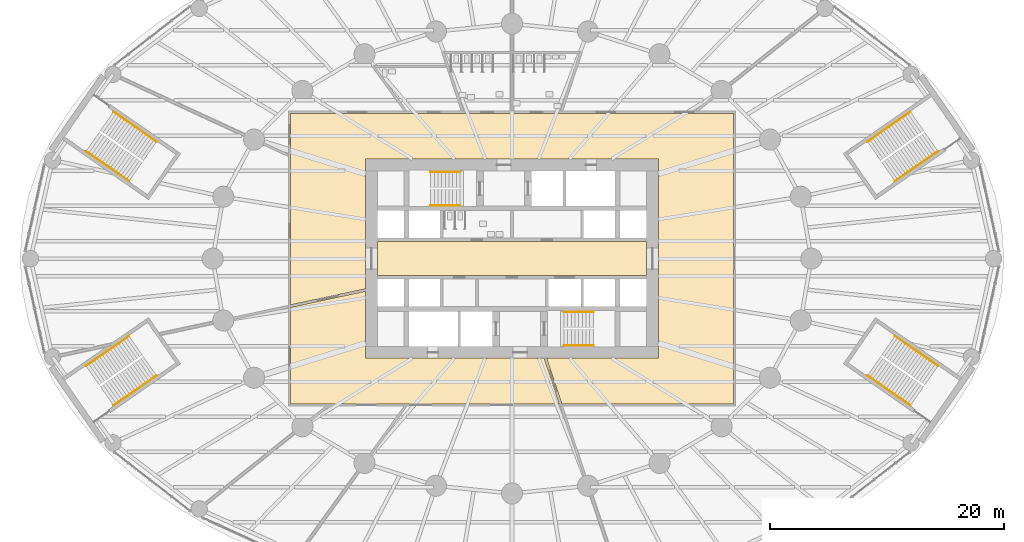
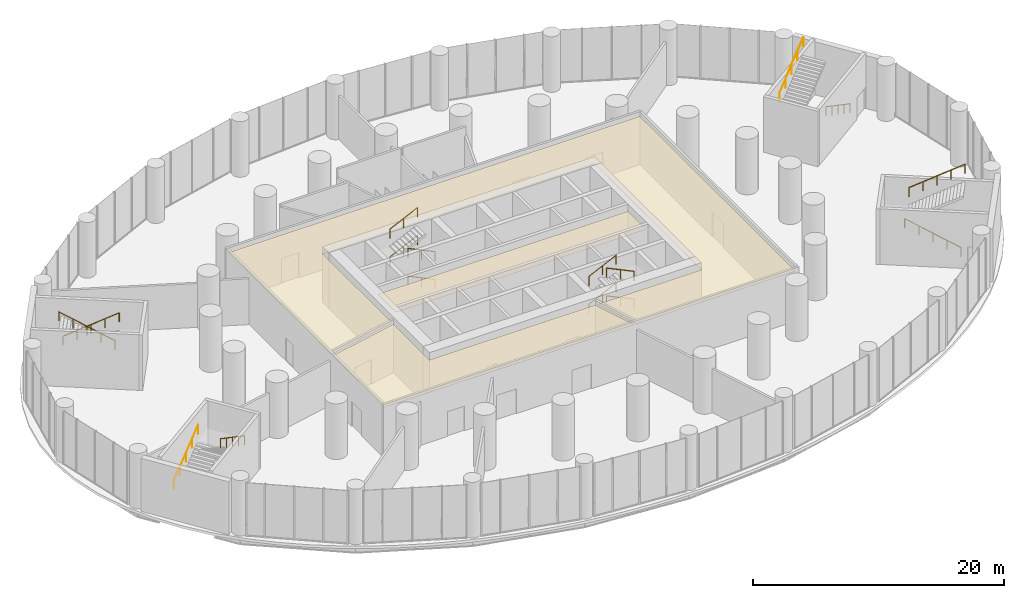
# One storey, part 19 of 21: 16 railings, 3 coverings.
"""IFC4 building model written with IfcOpenShell, lengths in metres."""

import ifcopenshell
import ifcopenshell.guid

model = None  # the IFC model being written
_history = None  # IfcOwnerHistory: only IFC2X3 demands one
_inside = {}  # id of a spatial element -> (the spatial element, [elements in it])
_under = {}  # id of a project, library or spatial element -> (it, [spatial elements below it])
_declared = {}  # id of a project -> (the project, [libraries it declares])
_typed = {}  # id of a type object -> (the type object, [elements of that type])
_made_of = {}  # id of a material, layer set ... -> (it, [elements and type objects made of it])


def new_model(schema):
    """Start an empty IFC model of exactly this schema.

    Asked for "IFC4X3", IfcOpenShell would pick the latest addendum, in which some entities
    have other attributes; the version numbers below select the first issue.
    IFC2X3 requires an IfcOwnerHistory on every rooted entity: one is made here for all.
    """
    global model, _history
    if schema == "IFC4X3":
        model = ifcopenshell.file(schema_version=(4, 3, 0, 0))
    else:
        model = ifcopenshell.file(schema=schema)
    _inside.clear()
    _under.clear()
    _declared.clear()
    _typed.clear()
    _made_of.clear()
    _history = None
    if model.schema == "IFC2X3":
        org = make("IfcOrganization", Name="unknown")
        user = make(
            "IfcPersonAndOrganization",
            ThePerson=make("IfcPerson", FamilyName="unknown"),
            TheOrganization=org,
        )
        app = make(
            "IfcApplication",
            ApplicationDeveloper=org,
            Version="unknown",
            ApplicationFullName="unknown",
            ApplicationIdentifier="unknown",
        )
        _history = make(
            "IfcOwnerHistory",
            OwningUser=user,
            OwningApplication=app,
            ChangeAction="ADDED",
            CreationDate=0,
        )
    return model


def make(cls, **values):
    """One entity of the class cls with the attributes given. An attribute that is None is left unset."""
    return model.create_entity(
        cls, **{name: value for name, value in values.items() if value is not None}
    )


def rooted(cls, **values):
    """An entity with a GlobalId (a new one), such as an element, a storey or a relation."""
    return make(cls, GlobalId=ifcopenshell.guid.new(), OwnerHistory=_history, **values)


def si_unit(unit_type, name, prefix=None):
    """IfcSIUnit, for example si_unit("LENGTHUNIT", "METRE", prefix="MILLI")."""
    return make("IfcSIUnit", UnitType=unit_type, Prefix=prefix, Name=name)


def assignment(units):
    """IfcUnitAssignment: the units of a project."""
    return None if units is None else make("IfcUnitAssignment", Units=units)


def point(xyz):
    """IfcCartesianPoint."""
    return None if xyz is None else make("IfcCartesianPoint", Coordinates=xyz)


def direction(xyz):
    """IfcDirection."""
    return None if xyz is None else make("IfcDirection", DirectionRatios=xyz)


def frame(location, z_axis=None, x_axis=None):
    """IfcAxis2Placement3D, a coordinate frame: its origin and axes. An axis left out is left unset."""
    return make(
        "IfcAxis2Placement3D",
        Location=point(location),
        Axis=direction(z_axis),
        RefDirection=direction(x_axis),
    )


def frame_2d(location, x_axis=None):
    """IfcAxis2Placement2D, a coordinate frame in the plane: its origin and x axis."""
    return make(
        "IfcAxis2Placement2D", Location=point(location), RefDirection=direction(x_axis)
    )


def origin():
    """The frame at (0, 0, 0) with its axes left unset."""
    return frame((0.0, 0.0, 0.0))


def origin_2d():
    """The frame at (0, 0) in the plane with its x axis left unset."""
    return frame_2d((0.0, 0.0))


def place(relative_to, where):
    """IfcLocalPlacement: puts the frame where relative to a parent placement (None: the world)."""
    return make(
        "IfcLocalPlacement", PlacementRelTo=relative_to, RelativePlacement=where
    )


def context(
    kind, dimensions, precision=None, world=None, true_north=None, identifier=None
):
    """IfcGeometricRepresentationContext, for example the 3D "Model" context."""
    return make(
        "IfcGeometricRepresentationContext",
        ContextIdentifier=identifier,
        ContextType=kind,
        CoordinateSpaceDimension=dimensions,
        Precision=precision,
        WorldCoordinateSystem=world,
        TrueNorth=true_north,
    )


def subcontext(parent, identifier, kind, view, scale=None):
    """IfcGeometricRepresentationSubContext, for example "Body" below "Model"."""
    return make(
        "IfcGeometricRepresentationSubContext",
        ContextIdentifier=identifier,
        ContextType=kind,
        ParentContext=parent,
        TargetScale=scale,
        TargetView=view,
    )


def project(units=None, contexts=None):
    """IfcProject with its units and contexts."""
    return rooted(
        "IfcProject",
        Name="project",
        RepresentationContexts=contexts,
        UnitsInContext=assignment(units),
    )


def spatial(cls, under=None, at=None, **own):
    """A site, building, storey or space (cls), placed at a placement, below another one or the project."""
    s = rooted(cls, ObjectPlacement=at, **own)
    if under is not None:
        _under.setdefault(under.id(), (under, []))[1].append(s)
    return s


def polyline(points):
    """IfcPolyline through the points."""
    return make("IfcPolyline", Points=[point(p) for p in points])


def profile(cls, at=None, kind="AREA", **sizes):
    """A parametric profile (cls). Its sizes go by their IFC names, for example OverallWidth=200.0."""
    return make(cls, ProfileType=kind, Position=at, **sizes)


def circle(**sizes):
    """IfcCircleProfileDef."""
    return profile("IfcCircleProfileDef", **sizes)


def outline(outer, holes=None, kind="AREA"):
    """IfcArbitraryClosedProfileDef: a profile drawn as a closed curve; with holes, ...WithVoids."""
    if holes is None:
        return make("IfcArbitraryClosedProfileDef", ProfileType=kind, OuterCurve=outer)
    return make(
        "IfcArbitraryProfileDefWithVoids",
        ProfileType=kind,
        OuterCurve=outer,
        InnerCurves=holes,
    )


def extrude(swept, where, along, depth):
    """IfcExtrudedAreaSolid: the profile swept, set in the frame where, extruded along a direction by depth."""
    return make(
        "IfcExtrudedAreaSolid",
        SweptArea=swept,
        Position=where,
        ExtrudedDirection=direction(along),
        Depth=depth,
    )


def shape(context_of_items, identifier, shape_type, items):
    """IfcShapeRepresentation: the items that make up one representation, for example the "Body"."""
    return make(
        "IfcShapeRepresentation",
        ContextOfItems=context_of_items,
        RepresentationIdentifier=identifier,
        RepresentationType=shape_type,
        Items=items,
    )


def material(Name=None, Category=None):
    """IfcMaterial."""
    return make("IfcMaterial", Name=Name, Category=Category)


def layer(
    of_material, thickness, ventilated=None, Name=None, Category=None, Priority=None
):
    """IfcMaterialLayer: one layer of a wall or slab, of a material (None: an air gap)."""
    return make(
        "IfcMaterialLayer",
        Material=of_material,
        LayerThickness=thickness,
        IsVentilated=ventilated,
        Name=Name,
        Category=Category,
        Priority=Priority,
    )


def layer_set(layers, Name=None):
    """IfcMaterialLayerSet."""
    return make("IfcMaterialLayerSet", MaterialLayers=layers, LayerSetName=Name)


def made_of(thing, what):
    """Note that an element or type object is made of a material, layer set ...; save() writes the relation."""
    if what is not None:
        _made_of.setdefault(what.id(), (what, []))[1].append(thing)
    return thing


def type_object(cls, material=None, **own):
    """A type object (cls), such as IfcWallType, which elements share."""
    return made_of(rooted(cls, **own), material)


def element(
    cls,
    number,
    at=None,
    inside=None,
    cuts=None,
    type_object=None,
    material=None,
    context=None,
    identifier="Body",
    shape_type=None,
    held_by="IfcProductDefinitionShape",
    body=None,
    shapes=None,
    **own,
):
    """One element of the class cls, such as IfcWall. Its Tag is "e" and its number.

    at: its placement. inside: the storey or other place that contains it. cuts: it is an
    opening in that element (IfcRelVoidsElement). A single representation is given by context,
    identifier, shape_type and body (its items); several are given by shapes. held_by: the class
    of the entity that holds the representations. save() writes the other relations.
    """
    e = rooted(cls, Tag="e%d" % number, ObjectPlacement=at, **own)
    if body is not None:
        shapes = [shape(context, identifier, shape_type, body)]
    if shapes is not None:
        e.Representation = make(held_by, Representations=shapes)
    if inside is not None:
        _inside.setdefault(inside.id(), (inside, []))[1].append(e)
    if cuts is not None:
        rooted(
            "IfcRelVoidsElement", RelatingBuildingElement=cuts, RelatedOpeningElement=e
        )
    if type_object is not None:
        _typed.setdefault(type_object.id(), (type_object, []))[1].append(e)
    return made_of(e, material)


def aggregate(whole, parts):
    """IfcRelAggregates: a whole, such as a stair, and the parts it consists of."""
    return rooted("IfcRelAggregates", RelatingObject=whole, RelatedObjects=parts)


def save(model, path):
    """Write the relations noted so far, then the file.

    IfcRelAggregates (storeys below a building ...), IfcRelContainedInSpatialStructure (elements
    in a storey), IfcRelDefinesByType, IfcRelAssociatesMaterial and IfcRelDeclares: one each for
    every whole, place, type object, material and project.
    """
    for whole, parts in _under.values():
        aggregate(whole, parts)
    for where, things in _inside.values():
        rooted(
            "IfcRelContainedInSpatialStructure",
            RelatedElements=things,
            RelatingStructure=where,
        )
    for kind, things in _typed.values():
        rooted("IfcRelDefinesByType", RelatedObjects=things, RelatingType=kind)
    for what, things in _made_of.values():
        rooted("IfcRelAssociatesMaterial", RelatedObjects=things, RelatingMaterial=what)
    for by, libraries in _declared.values():
        rooted("IfcRelDeclares", RelatingContext=by, RelatedDefinitions=libraries)
    model.write(path)


model = new_model("IFC4")

# Units and contexts
model_context = context("Model", 3, precision=1e-05, world=origin(), true_north=direction((0.0, 1.0)))
body_context = subcontext(model_context, "Body", "Model", "MODEL_VIEW")
ifc_project = project(units=[si_unit("LENGTHUNIT", "METRE"), si_unit("AREAUNIT", "SQUARE_METRE"), si_unit("VOLUMEUNIT", "CUBIC_METRE"), si_unit("PLANEANGLEUNIT", "RADIAN"), si_unit("MASSUNIT", "GRAM", prefix="KILO")], contexts=[model_context])

# Site, building, storey
site_placement = place(None, origin())
site = spatial("IfcSite", under=ifc_project, at=site_placement, CompositionType="ELEMENT")
building_placement = place(site_placement, origin())
building = spatial("IfcBuilding", under=site, at=building_placement, Name="Hankou Lantern Tower", CompositionType="ELEMENT")
storey_placement = place(building_placement, frame((0.0, 0.0, 13.800048828125)))
storey = spatial("IfcBuildingStorey", under=building, at=storey_placement, Name="L02", CompositionType="ELEMENT", Elevation=13.800048828125)

# Coverings
ifc_material_1 = material(Name="Black painted aluminium linear ceiling panels", Category="aluminium")
ifc_layer_1 = layer(ifc_material_1, 0.02490234375)
ifc_layer_set_1 = layer_set([ifc_layer_1], Name="Black painted aluminium linear ceiling panels")
covering_type_1 = type_object("IfcCoveringType", Name="CL1 CORRIDOR CEILING 25", PredefinedType="CEILING", material=ifc_layer_set_1)
covering_1_placement = place(storey_placement, frame((0.0, 0.0, 4.675048828125)))
element("IfcCovering", 1, at=covering_1_placement, inside=storey, type_object=covering_type_1, Name="Corridor ceiling L02", PredefinedType="CEILING", context=body_context, shape_type="SweptSolid", body=[
    extrude(outline(polyline([(-18.89990234375, 12.39990234375), (-18.89990234375, -3.94921875), (-12.5, -2.5771484375), (-12.5, 8.5), (12.5, 8.5), (12.5, -8.5), (2.952392578125, -8.5), (4.2587890625, -12.39990234375), (18.89990234375, -12.39990234375), (18.89990234375, 12.39990234375), (-18.89990234375, 12.39990234375)])), origin(), (0.0, 0.0, 1.0), 0.02490234375),
])
covering_2_placement = place(storey_placement, frame((0.0, 0.0, 4.675048828125)))
element("IfcCovering", 2, at=covering_2_placement, inside=storey, type_object=covering_type_1, Name="Corridor ceiling L02", PredefinedType="CEILING", context=body_context, shape_type="SweptSolid", body=[
    extrude(outline(polyline([(4.0478515625, -12.39990234375), (2.741455078125, -8.5), (-12.5, -8.5), (-12.5, -2.78173828125), (-18.89990234375, -4.153564453125), (-18.89990234375, -12.39990234375), (4.0478515625, -12.39990234375)])), origin(), (0.0, 0.0, 1.0), 0.02490234375),
])
ifc_material_2 = material(Name="Perforated black aluminium acoustic tray ceiling", Category="aluminium")
ifc_layer_2 = layer(ifc_material_2, 0.014892578125)
ifc_layer_set_2 = layer_set([ifc_layer_2], Name="Perforated black aluminium acoustic tray ceiling")
covering_type_2 = type_object("IfcCoveringType", Name="CL2 LIFT LOBBY CEILING 15", PredefinedType="CEILING", material=ifc_layer_set_2)
covering_3_placement = place(storey_placement, frame((0.0, 0.0, 4.68505859375)))
element("IfcCovering", 3, at=covering_3_placement, inside=storey, type_object=covering_type_2, Name="Lift lobby ceiling L02", PredefinedType="CEILING", context=body_context, shape_type="SweptSolid", body=[
    extrude(outline(polyline([(-11.5, -1.449951171875), (11.5, -1.449951171875), (11.5, 1.449951171875), (-11.5, 1.449951171875), (-11.5, -1.449951171875)])), origin(), (0.0, 0.0, 1.0), 0.014892578125),
])

# Railings
ifc_material_3 = material(Name="Steel handrail", Category="steel")
railing_type = type_object("IfcRailingType", Name="HR1 STAIR HANDRAIL", PredefinedType="HANDRAIL", material=ifc_material_3)
railing_1_placement = place(storey_placement, frame((-4.429931640625, 4.550048828125, 0.89990234375)))
element("IfcRailing", 4, at=railing_1_placement, inside=storey, type_object=railing_type, Name="Handrail stair STA L02 flight 1", PredefinedType="HANDRAIL", context=body_context, shape_type="SweptSolid", body=[
    extrude(circle(Radius=0.02392578125, at=origin_2d()), frame((0.0, 0.0, 0.8759765625), z_axis=(-0.902868602797, 0.0, 0.429916603638), x_axis=(0.0, -1.0, 0.0)), (0.0, 0.0, 1.0), 2.791015625),
    extrude(circle(Radius=0.02099609375, at=origin_2d()), origin(), (0.0, 0.0, 1.0), 0.851806640625),
    extrude(circle(Radius=0.02099609375, at=origin_2d()), frame((-1.260009765625, 0.0, 0.60009765625)), (0.0, 0.0, 1.0), 0.851806640625),
    extrude(circle(Radius=0.02099609375, at=origin_2d()), frame((-2.52001953125, 0.0, 1.199951171875)), (0.0, 0.0, 1.0), 0.851806640625),
])
railing_2_placement = place(storey_placement, frame((-6.949951171875, 7.39990234375, 2.25)))
element("IfcRailing", 5, at=railing_2_placement, inside=storey, type_object=railing_type, Name="Handrail stair STA L02 flight 2", PredefinedType="HANDRAIL", context=body_context, shape_type="SweptSolid", body=[
    extrude(circle(Radius=0.02392578125, at=origin_2d()), frame((0.0, 0.0, 0.8759765625), z_axis=(0.902868602797, 0.0, 0.429916603638), x_axis=(0.0, 1.0, 0.0)), (0.0, 0.0, 1.0), 2.791015625),
    extrude(circle(Radius=0.02099609375, at=origin_2d()), origin(), (0.0, 0.0, 1.0), 0.851806640625),
    extrude(circle(Radius=0.02099609375, at=origin_2d()), frame((1.260009765625, 0.0, 0.60009765625)), (0.0, 0.0, 1.0), 0.851806640625),
    extrude(circle(Radius=0.02099609375, at=origin_2d()), frame((2.52001953125, 0.0, 1.199951171875)), (0.0, 0.0, 1.0), 0.851806640625),
])
railing_3_placement = place(storey_placement, frame((-4.429931640625, 4.550048828125, 3.599853515625)))
element("IfcRailing", 6, at=railing_3_placement, inside=storey, type_object=railing_type, Name="Handrail stair STA L02 flight 3", PredefinedType="HANDRAIL", context=body_context, shape_type="SweptSolid", body=[
    extrude(circle(Radius=0.02392578125, at=origin_2d()), frame((0.0, 0.0, 0.8759765625), z_axis=(-0.902834648938, 0.0, 0.429987902943), x_axis=(0.0, -1.0, 0.0)), (0.0, 0.0, 1.0), 2.791259765625),
    extrude(circle(Radius=0.02099609375, at=origin_2d()), origin(), (0.0, 0.0, 1.0), 0.851806640625),
    extrude(circle(Radius=0.02099609375, at=origin_2d()), frame((-1.260009765625, 0.0, 0.60009765625)), (0.0, 0.0, 1.0), 0.851806640625),
    extrude(circle(Radius=0.02099609375, at=origin_2d()), frame((-2.52001953125, 0.0, 1.2001953125)), (0.0, 0.0, 1.0), 0.851806640625),
])
for number, where, name in (
    (7, (-6.949951171875, 7.39990234375, 4.949951171875), "Handrail stair STA L02 flight 4"),
    (8, (4.429931640625, -4.550048828125, 0.89990234375), "Handrail stair STB L02 flight 1"),
):
    element("IfcRailing", number, at=place(storey_placement, frame(where)), inside=storey, type_object=railing_type, Name=name, PredefinedType="HANDRAIL", context=body_context, shape_type="SweptSolid", body=[
        extrude(circle(Radius=0.02392578125, at=origin_2d()), frame((0.0, 0.0, 0.8759765625), z_axis=(0.902868602797, 0.0, 0.429916603638), x_axis=(0.0, 1.0, 0.0)), (0.0, 0.0, 1.0), 2.791015625),
        extrude(circle(Radius=0.02099609375, at=origin_2d()), origin(), (0.0, 0.0, 1.0), 0.851806640625),
        extrude(circle(Radius=0.02099609375, at=origin_2d()), frame((1.260009765625, 0.0, 0.60009765625)), (0.0, 0.0, 1.0), 0.851806640625),
        extrude(circle(Radius=0.02099609375, at=origin_2d()), frame((2.52001953125, 0.0, 1.199951171875)), (0.0, 0.0, 1.0), 0.851806640625),
    ])
railing_4_placement = place(storey_placement, frame((6.949951171875, -7.39990234375, 2.25)))
element("IfcRailing", 9, at=railing_4_placement, inside=storey, type_object=railing_type, Name="Handrail stair STB L02 flight 2", PredefinedType="HANDRAIL", context=body_context, shape_type="SweptSolid", body=[
    extrude(circle(Radius=0.02392578125, at=origin_2d()), frame((0.0, 0.0, 0.8759765625), z_axis=(-0.902868602797, 0.0, 0.429916603638), x_axis=(0.0, -1.0, 0.0)), (0.0, 0.0, 1.0), 2.791015625),
    extrude(circle(Radius=0.02099609375, at=origin_2d()), origin(), (0.0, 0.0, 1.0), 0.851806640625),
    extrude(circle(Radius=0.02099609375, at=origin_2d()), frame((-1.260009765625, 0.0, 0.60009765625)), (0.0, 0.0, 1.0), 0.851806640625),
    extrude(circle(Radius=0.02099609375, at=origin_2d()), frame((-2.52001953125, 0.0, 1.199951171875)), (0.0, 0.0, 1.0), 0.851806640625),
])
railing_5_placement = place(storey_placement, frame((4.429931640625, -4.550048828125, 3.599853515625)))
element("IfcRailing", 10, at=railing_5_placement, inside=storey, type_object=railing_type, Name="Handrail stair STB L02 flight 3", PredefinedType="HANDRAIL", context=body_context, shape_type="SweptSolid", body=[
    extrude(circle(Radius=0.02392578125, at=origin_2d()), frame((0.0, 0.0, 0.8759765625), z_axis=(0.902834648938, 0.0, 0.429987902943), x_axis=(0.0, 1.0, 0.0)), (0.0, 0.0, 1.0), 2.791259765625),
    extrude(circle(Radius=0.02099609375, at=origin_2d()), origin(), (0.0, 0.0, 1.0), 0.851806640625),
    extrude(circle(Radius=0.02099609375, at=origin_2d()), frame((1.260009765625, 0.0, 0.60009765625)), (0.0, 0.0, 1.0), 0.851806640625),
    extrude(circle(Radius=0.02099609375, at=origin_2d()), frame((2.52001953125, 0.0, 1.2001953125)), (0.0, 0.0, 1.0), 0.851806640625),
])
railing_6_placement = place(storey_placement, frame((6.949951171875, -7.39990234375, 4.949951171875)))
element("IfcRailing", 11, at=railing_6_placement, inside=storey, type_object=railing_type, Name="Handrail stair STB L02 flight 4", PredefinedType="HANDRAIL", context=body_context, shape_type="SweptSolid", body=[
    extrude(circle(Radius=0.02392578125, at=origin_2d()), frame((0.0, 0.0, 0.8759765625), z_axis=(-0.902868602797, 0.0, 0.429916603638), x_axis=(0.0, -1.0, 0.0)), (0.0, 0.0, 1.0), 2.791015625),
    extrude(circle(Radius=0.02099609375, at=origin_2d()), origin(), (0.0, 0.0, 1.0), 0.851806640625),
    extrude(circle(Radius=0.02099609375, at=origin_2d()), frame((-1.260009765625, 0.0, 0.60009765625)), (0.0, 0.0, 1.0), 0.851806640625),
    extrude(circle(Radius=0.02099609375, at=origin_2d()), frame((-2.52001953125, 0.0, 1.199951171875)), (0.0, 0.0, 1.0), 0.851806640625),
])
railing_7_placement = place(storey_placement, frame((36.354248046875, 9.16455078125, 0.89990234375)))
element("IfcRailing", 12, at=railing_7_placement, inside=storey, type_object=railing_type, Name="Handrail stair P1 L02 flight 1", PredefinedType="HANDRAIL", context=body_context, shape_type="SweptSolid", body=[
    extrude(circle(Radius=0.02392578125, at=origin_2d()), frame((0.0, 0.0, 0.8759765625), z_axis=(-0.714054060334, -0.496671431504, 0.493400737786), x_axis=(0.571016585655, -0.82093852322, 0.0)), (0.0, 0.0, 1.0), 5.150390625),
    extrude(circle(Radius=0.02099609375, at=origin_2d()), origin(), (0.0, 0.0, 1.0), 0.851806640625),
    extrude(circle(Radius=0.02099609375, at=origin_2d()), frame((-0.91943359375, -0.6396484375, 0.63525390625)), (0.0, 0.0, 1.0), 0.851806640625),
    extrude(circle(Radius=0.02099609375, at=origin_2d()), frame((-1.8388671875, -1.279052734375, 1.2705078125)), (0.0, 0.0, 1.0), 0.851806640625),
    extrude(circle(Radius=0.02099609375, at=origin_2d()), frame((-2.75830078125, -1.91845703125, 1.906005859375)), (0.0, 0.0, 1.0), 0.851806640625),
    extrude(circle(Radius=0.02099609375, at=origin_2d()), frame((-3.677734375, -2.55810546875, 2.541259765625)), (0.0, 0.0, 1.0), 0.851806640625),
])
railing_8_placement = place(storey_placement, frame((30.33544921875, 9.97216796875, 3.599853515625)))
element("IfcRailing", 13, at=railing_8_placement, inside=storey, type_object=railing_type, Name="Handrail stair P1 L02 flight 2", PredefinedType="HANDRAIL", context=body_context, shape_type="SweptSolid", body=[
    extrude(circle(Radius=0.02392578125, at=origin_2d()), frame((0.0, 0.0, 0.8759765625), z_axis=(0.714054060334, 0.496671431504, 0.493400737786), x_axis=(-0.571016585655, 0.82093852322, 0.0)), (0.0, 0.0, 1.0), 5.150390625),
    extrude(circle(Radius=0.02099609375, at=origin_2d()), origin(), (0.0, 0.0, 1.0), 0.851806640625),
    extrude(circle(Radius=0.02099609375, at=origin_2d()), frame((0.91943359375, 0.6396484375, 0.63525390625)), (0.0, 0.0, 1.0), 0.851806640625),
    extrude(circle(Radius=0.02099609375, at=origin_2d()), frame((1.8388671875, 1.279052734375, 1.2705078125)), (0.0, 0.0, 1.0), 0.851806640625),
    extrude(circle(Radius=0.02099609375, at=origin_2d()), frame((2.75830078125, 1.91845703125, 1.906005859375)), (0.0, 0.0, 1.0), 0.851806640625),
    extrude(circle(Radius=0.02099609375, at=origin_2d()), frame((3.677734375, 2.55810546875, 2.541259765625)), (0.0, 0.0, 1.0), 0.851806640625),
])
railing_9_placement = place(storey_placement, frame((-34.01318359375, 12.5302734375, 0.89990234375)))
element("IfcRailing", 14, at=railing_9_placement, inside=storey, type_object=railing_type, Name="Handrail stair P2 L02 flight 1", PredefinedType="HANDRAIL", context=body_context, shape_type="SweptSolid", body=[
    extrude(circle(Radius=0.02392578125, at=origin_2d()), frame((0.0, 0.0, 0.8759765625), z_axis=(0.714054060334, -0.496671431504, 0.493400737786), x_axis=(0.571016585655, 0.82093852322, 0.0)), (0.0, 0.0, 1.0), 5.150390625),
    extrude(circle(Radius=0.02099609375, at=origin_2d()), origin(), (0.0, 0.0, 1.0), 0.851806640625),
    extrude(circle(Radius=0.02099609375, at=origin_2d()), frame((0.91943359375, -0.6396484375, 0.63525390625)), (0.0, 0.0, 1.0), 0.851806640625),
    extrude(circle(Radius=0.02099609375, at=origin_2d()), frame((1.8388671875, -1.279052734375, 1.2705078125)), (0.0, 0.0, 1.0), 0.851806640625),
    extrude(circle(Radius=0.02099609375, at=origin_2d()), frame((2.75830078125, -1.91845703125, 1.906005859375)), (0.0, 0.0, 1.0), 0.851806640625),
    extrude(circle(Radius=0.02099609375, at=origin_2d()), frame((3.677734375, -2.55810546875, 2.541259765625)), (0.0, 0.0, 1.0), 0.851806640625),
])
railing_10_placement = place(storey_placement, frame((-32.676513671875, 6.6064453125, 3.599853515625)))
element("IfcRailing", 15, at=railing_10_placement, inside=storey, type_object=railing_type, Name="Handrail stair P2 L02 flight 2", PredefinedType="HANDRAIL", context=body_context, shape_type="SweptSolid", body=[
    extrude(circle(Radius=0.02392578125, at=origin_2d()), frame((0.0, 0.0, 0.8759765625), z_axis=(-0.714054060334, 0.496671431504, 0.493400737786), x_axis=(-0.571016585655, -0.82093852322, 0.0)), (0.0, 0.0, 1.0), 5.150390625),
    extrude(circle(Radius=0.02099609375, at=origin_2d()), origin(), (0.0, 0.0, 1.0), 0.851806640625),
    extrude(circle(Radius=0.02099609375, at=origin_2d()), frame((-0.91943359375, 0.6396484375, 0.63525390625)), (0.0, 0.0, 1.0), 0.851806640625),
    extrude(circle(Radius=0.02099609375, at=origin_2d()), frame((-1.8388671875, 1.279052734375, 1.2705078125)), (0.0, 0.0, 1.0), 0.851806640625),
    extrude(circle(Radius=0.02099609375, at=origin_2d()), frame((-2.75830078125, 1.91845703125, 1.906005859375)), (0.0, 0.0, 1.0), 0.851806640625),
    extrude(circle(Radius=0.02099609375, at=origin_2d()), frame((-3.677734375, 2.55810546875, 2.541259765625)), (0.0, 0.0, 1.0), 0.851806640625),
])
railing_11_placement = place(storey_placement, frame((-36.354248046875, -9.16455078125, 0.89990234375)))
element("IfcRailing", 16, at=railing_11_placement, inside=storey, type_object=railing_type, Name="Handrail stair P3 L02 flight 1", PredefinedType="HANDRAIL", context=body_context, shape_type="SweptSolid", body=[
    extrude(circle(Radius=0.02392578125, at=origin_2d()), frame((0.0, 0.0, 0.8759765625), z_axis=(0.714054060334, 0.496671431504, 0.493400737786), x_axis=(-0.571016585655, 0.82093852322, 0.0)), (0.0, 0.0, 1.0), 5.150390625),
    extrude(circle(Radius=0.02099609375, at=origin_2d()), origin(), (0.0, 0.0, 1.0), 0.851806640625),
    extrude(circle(Radius=0.02099609375, at=origin_2d()), frame((0.91943359375, 0.6396484375, 0.63525390625)), (0.0, 0.0, 1.0), 0.851806640625),
    extrude(circle(Radius=0.02099609375, at=origin_2d()), frame((1.8388671875, 1.279052734375, 1.2705078125)), (0.0, 0.0, 1.0), 0.851806640625),
    extrude(circle(Radius=0.02099609375, at=origin_2d()), frame((2.75830078125, 1.91845703125, 1.906005859375)), (0.0, 0.0, 1.0), 0.851806640625),
    extrude(circle(Radius=0.02099609375, at=origin_2d()), frame((3.677734375, 2.55810546875, 2.541259765625)), (0.0, 0.0, 1.0), 0.851806640625),
])
railing_12_placement = place(storey_placement, frame((-30.33544921875, -9.97216796875, 3.599853515625)))
element("IfcRailing", 17, at=railing_12_placement, inside=storey, type_object=railing_type, Name="Handrail stair P3 L02 flight 2", PredefinedType="HANDRAIL", context=body_context, shape_type="SweptSolid", body=[
    extrude(circle(Radius=0.02392578125, at=origin_2d()), frame((0.0, 0.0, 0.8759765625), z_axis=(-0.714054060334, -0.496671431504, 0.493400737786), x_axis=(0.571016585655, -0.82093852322, 0.0)), (0.0, 0.0, 1.0), 5.150390625),
    extrude(circle(Radius=0.02099609375, at=origin_2d()), origin(), (0.0, 0.0, 1.0), 0.851806640625),
    extrude(circle(Radius=0.02099609375, at=origin_2d()), frame((-0.91943359375, -0.6396484375, 0.63525390625)), (0.0, 0.0, 1.0), 0.851806640625),
    extrude(circle(Radius=0.02099609375, at=origin_2d()), frame((-1.8388671875, -1.279052734375, 1.2705078125)), (0.0, 0.0, 1.0), 0.851806640625),
    extrude(circle(Radius=0.02099609375, at=origin_2d()), frame((-2.75830078125, -1.91845703125, 1.906005859375)), (0.0, 0.0, 1.0), 0.851806640625),
    extrude(circle(Radius=0.02099609375, at=origin_2d()), frame((-3.677734375, -2.55810546875, 2.541259765625)), (0.0, 0.0, 1.0), 0.851806640625),
])
railing_13_placement = place(storey_placement, frame((34.01318359375, -12.5302734375, 0.89990234375)))
element("IfcRailing", 18, at=railing_13_placement, inside=storey, type_object=railing_type, Name="Handrail stair P4 L02 flight 1", PredefinedType="HANDRAIL", context=body_context, shape_type="SweptSolid", body=[
    extrude(circle(Radius=0.02392578125, at=origin_2d()), frame((0.0, 0.0, 0.8759765625), z_axis=(-0.714054060334, 0.496671431504, 0.493400737786), x_axis=(-0.571016585655, -0.82093852322, 0.0)), (0.0, 0.0, 1.0), 5.150390625),
    extrude(circle(Radius=0.02099609375, at=origin_2d()), origin(), (0.0, 0.0, 1.0), 0.851806640625),
    extrude(circle(Radius=0.02099609375, at=origin_2d()), frame((-0.91943359375, 0.6396484375, 0.63525390625)), (0.0, 0.0, 1.0), 0.851806640625),
    extrude(circle(Radius=0.02099609375, at=origin_2d()), frame((-1.8388671875, 1.279052734375, 1.2705078125)), (0.0, 0.0, 1.0), 0.851806640625),
    extrude(circle(Radius=0.02099609375, at=origin_2d()), frame((-2.75830078125, 1.91845703125, 1.906005859375)), (0.0, 0.0, 1.0), 0.851806640625),
    extrude(circle(Radius=0.02099609375, at=origin_2d()), frame((-3.677734375, 2.55810546875, 2.541259765625)), (0.0, 0.0, 1.0), 0.851806640625),
])
railing_14_placement = place(storey_placement, frame((32.676513671875, -6.6064453125, 3.599853515625)))
element("IfcRailing", 19, at=railing_14_placement, inside=storey, type_object=railing_type, Name="Handrail stair P4 L02 flight 2", PredefinedType="HANDRAIL", context=body_context, shape_type="SweptSolid", body=[
    extrude(circle(Radius=0.02392578125, at=origin_2d()), frame((0.0, 0.0, 0.8759765625), z_axis=(0.714054060334, -0.496671431504, 0.493400737786), x_axis=(0.571016585655, 0.82093852322, 0.0)), (0.0, 0.0, 1.0), 5.150390625),
    extrude(circle(Radius=0.02099609375, at=origin_2d()), origin(), (0.0, 0.0, 1.0), 0.851806640625),
    extrude(circle(Radius=0.02099609375, at=origin_2d()), frame((0.91943359375, -0.6396484375, 0.63525390625)), (0.0, 0.0, 1.0), 0.851806640625),
    extrude(circle(Radius=0.02099609375, at=origin_2d()), frame((1.8388671875, -1.279052734375, 1.2705078125)), (0.0, 0.0, 1.0), 0.851806640625),
    extrude(circle(Radius=0.02099609375, at=origin_2d()), frame((2.75830078125, -1.91845703125, 1.906005859375)), (0.0, 0.0, 1.0), 0.851806640625),
    extrude(circle(Radius=0.02099609375, at=origin_2d()), frame((3.677734375, -2.55810546875, 2.541259765625)), (0.0, 0.0, 1.0), 0.851806640625),
])

save(model, "model.ifc")
